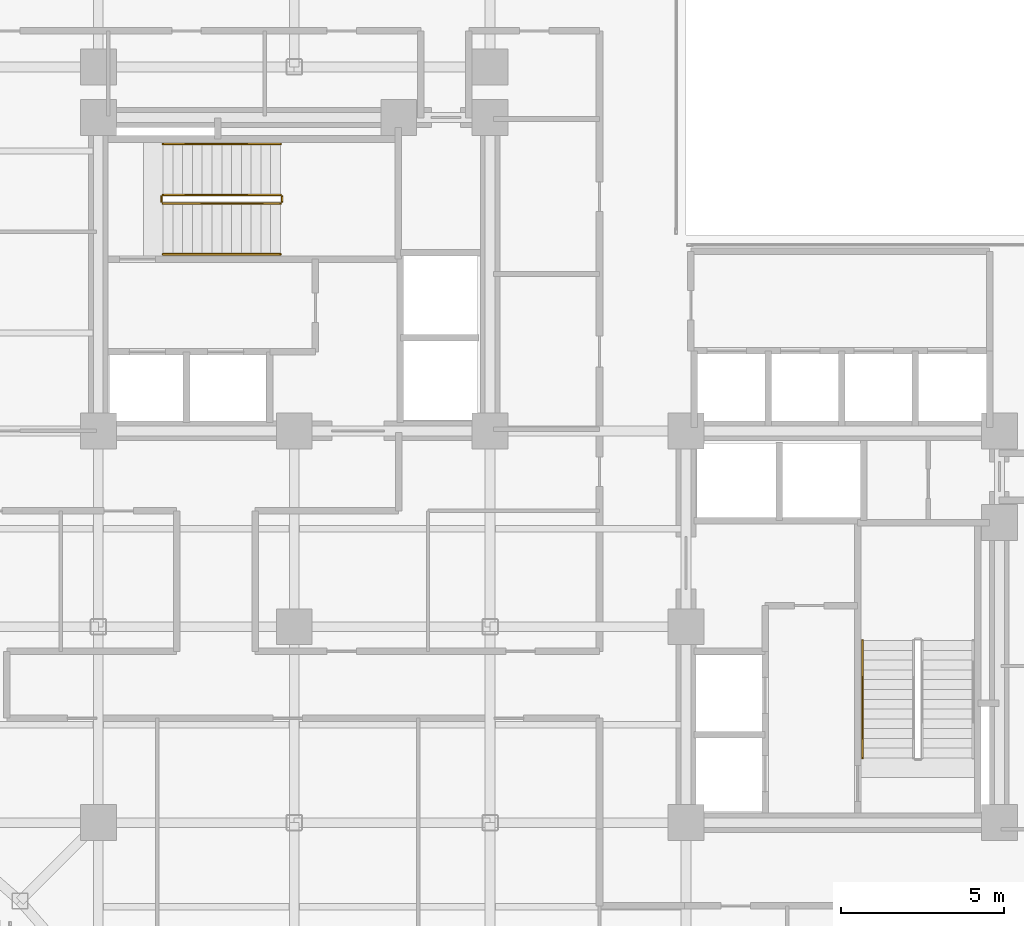
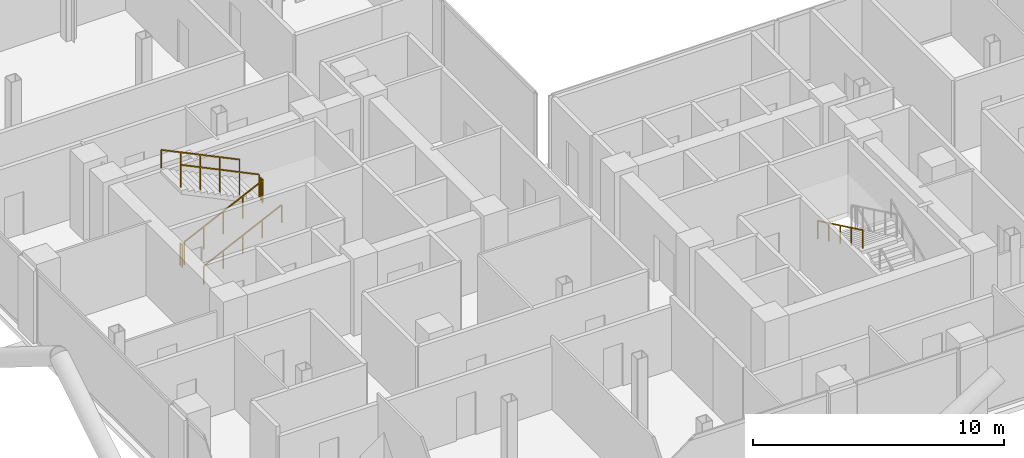
# One storey, part 26 of 28: 7 railings.
"""IFC4 building model written with IfcOpenShell, lengths in metres."""

from ifc_helpers import new_model, si_unit, direction, frame, origin, origin_2d, place, context, subcontext, project, spatial, rectangle, extrude, material, type_object, element, save


model = new_model("IFC4")

# Units and contexts
model_context = context("Model", 3, precision=1e-05, world=origin(), true_north=direction((0.0, 1.0)))
body_context = subcontext(model_context, "Body", "Model", "MODEL_VIEW")
ifc_project = project(units=[si_unit("LENGTHUNIT", "METRE"), si_unit("AREAUNIT", "SQUARE_METRE"), si_unit("VOLUMEUNIT", "CUBIC_METRE"), si_unit("PLANEANGLEUNIT", "RADIAN"), si_unit("MASSUNIT", "GRAM", prefix="KILO"), si_unit("THERMODYNAMICTEMPERATUREUNIT", "KELVIN"), si_unit("POWERUNIT", "WATT")], contexts=[model_context])

# Site, building, storey
site_placement = place(None, origin())
site = spatial("IfcSite", under=ifc_project, at=site_placement, CompositionType="ELEMENT")
building_placement = place(site_placement, origin())
building = spatial("IfcBuilding", under=site, at=building_placement, Name="Svarakhadi Broadcast Tower", CompositionType="ELEMENT")
storey_placement = place(building_placement, frame((0.0, 0.0, 138.14990234375)))
storey = spatial("IfcBuildingStorey", under=building, at=storey_placement, Name="L33", CompositionType="ELEMENT", Elevation=138.14990234375)

# Railings
ifc_material = material(Name="Anodised Bronze Aluminium AA 6063-T6", Category="aluminium")
railing_type_1 = type_object("IfcRailingType", Name="Guard_Stair_GR01", PredefinedType="GUARDRAIL", material=ifc_material)
railing_1_placement = place(storey_placement, frame((7.97998046875, 24.969970703125, 0.144287109375)))
element("IfcRailing", 1, at=railing_1_placement, inside=storey, type_object=railing_type_1, Name="L33 ST-01 stair guard 1", PredefinedType="GUARDRAIL", context=body_context, shape_type="SweptSolid", body=[
    extrude(rectangle(XDim=0.048095703125, YDim=0.048095703125, at=origin_2d()), frame((0.0, 0.0, 1.09619140625), z_axis=(0.901262522062, 0.0, 0.433273431364), x_axis=(0.0, 1.0, 0.0)), (0.0, 0.0, 1.0), 3.994384765625),
    extrude(rectangle(XDim=0.0419921875, YDim=0.0419921875, at=origin_2d()), origin(), (0.0, 0.0, 1.0), 1.072021484375),
    extrude(rectangle(XDim=0.0419921875, YDim=0.0419921875, at=origin_2d()), frame((0.89990234375, 0.0, 0.4326171875)), (0.0, 0.0, 1.0), 1.072021484375),
    extrude(rectangle(XDim=0.0419921875, YDim=0.0419921875, at=origin_2d()), frame((1.800048828125, 0.0, 0.865234375)), (0.0, 0.0, 1.0), 1.072021484375),
    extrude(rectangle(XDim=0.0419921875, YDim=0.0419921875, at=origin_2d()), frame((2.7001953125, 0.0, 1.298095703125)), (0.0, 0.0, 1.0), 1.072021484375),
    extrude(rectangle(XDim=0.0419921875, YDim=0.0419921875, at=origin_2d()), frame((3.60009765625, 0.0, 1.730712890625)), (0.0, 0.0, 1.0), 1.072021484375),
])
railing_2_placement = place(storey_placement, frame((11.6298828125, 25.02001953125, 1.875)))
element("IfcRailing", 2, at=railing_2_placement, inside=storey, type_object=railing_type_1, Name="L33 ST-01 stair guard 2", PredefinedType="GUARDRAIL", context=body_context, shape_type="SweptSolid", body=[
    extrude(rectangle(XDim=0.048095703125, YDim=0.048095703125, at=origin_2d()), frame((0.0, 0.0, 1.09619140625), z_axis=(0.0, 1.0, 0.0), x_axis=(-1.0, 0.0, 0.0)), (0.0, 0.0, 1.0), 0.159912109375),
    extrude(rectangle(XDim=0.0419921875, YDim=0.0419921875, at=origin_2d()), origin(), (0.0, 0.0, 1.0), 1.072021484375),
    extrude(rectangle(XDim=0.0419921875, YDim=0.0419921875, at=origin_2d()), frame((0.0, 0.159912109375, 0.0)), (0.0, 0.0, 1.0), 1.072021484375),
])
railing_3_placement = place(storey_placement, frame((11.580078125, 25.22998046875, 2.019287109375)))
element("IfcRailing", 3, at=railing_3_placement, inside=storey, type_object=railing_type_1, Name="L33 ST-01 stair guard 3", PredefinedType="GUARDRAIL", context=body_context, shape_type="SweptSolid", body=[
    extrude(rectangle(XDim=0.048095703125, YDim=0.048095703125, at=origin_2d()), frame((0.0, 0.0, 1.09619140625), z_axis=(-0.901262522062, 0.0, 0.433273431364), x_axis=(0.0, -1.0, 0.0)), (0.0, 0.0, 1.0), 3.994384765625),
    extrude(rectangle(XDim=0.0419921875, YDim=0.0419921875, at=origin_2d()), origin(), (0.0, 0.0, 1.0), 1.072021484375),
    extrude(rectangle(XDim=0.0419921875, YDim=0.0419921875, at=origin_2d()), frame((-0.89990234375, 0.0, 0.4326171875)), (0.0, 0.0, 1.0), 1.072021484375),
    extrude(rectangle(XDim=0.0419921875, YDim=0.0419921875, at=origin_2d()), frame((-1.800048828125, 0.0, 0.865234375)), (0.0, 0.0, 1.0), 1.072021484375),
    extrude(rectangle(XDim=0.0419921875, YDim=0.0419921875, at=origin_2d()), frame((-2.7001953125, 0.0, 1.298095703125)), (0.0, 0.0, 1.0), 1.072021484375),
    extrude(rectangle(XDim=0.0419921875, YDim=0.0419921875, at=origin_2d()), frame((-3.60009765625, 0.0, 1.730712890625)), (0.0, 0.0, 1.0), 1.072021484375),
])
railing_4_placement = place(storey_placement, frame((7.929931640625, 25.02001953125, 0.0)))
element("IfcRailing", 4, at=railing_4_placement, inside=storey, type_object=railing_type_1, Name="L33 ST-01 stair guard 4", PredefinedType="GUARDRAIL", context=body_context, shape_type="SweptSolid", body=[
    extrude(rectangle(XDim=0.048095703125, YDim=0.048095703125, at=origin_2d()), frame((0.0, 0.0, 1.09619140625), z_axis=(0.0, 1.0, 0.0), x_axis=(-1.0, 0.0, 0.0)), (0.0, 0.0, 1.0), 0.159912109375),
    extrude(rectangle(XDim=0.0419921875, YDim=0.0419921875, at=origin_2d()), origin(), (0.0, 0.0, 1.0), 1.072021484375),
    extrude(rectangle(XDim=0.0419921875, YDim=0.0419921875, at=origin_2d()), frame((0.0, 0.159912109375, 0.0)), (0.0, 0.0, 1.0), 1.072021484375),
])
railing_type_2 = type_object("IfcRailingType", Name="Handrail_Stair_HR01", PredefinedType="HANDRAIL", material=ifc_material)
railing_5_placement = place(storey_placement, frame((7.97998046875, 23.409912109375, 0.144287109375)))
element("IfcRailing", 5, at=railing_5_placement, inside=storey, type_object=railing_type_2, Name="L33 ST-01 stair handrail 1", PredefinedType="HANDRAIL", context=body_context, shape_type="SweptSolid", body=[
    extrude(rectangle(XDim=0.048095703125, YDim=0.048095703125, at=origin_2d()), frame((0.0, 0.0, 0.8759765625), z_axis=(0.901262522062, 0.0, 0.433273431364), x_axis=(0.0, 1.0, 0.0)), (0.0, 0.0, 1.0), 3.994384765625),
    extrude(rectangle(XDim=0.0419921875, YDim=0.0419921875, at=origin_2d()), origin(), (0.0, 0.0, 1.0), 0.851806640625),
    extrude(rectangle(XDim=0.0419921875, YDim=0.0419921875, at=origin_2d()), frame((0.89990234375, 0.0, 0.4326171875)), (0.0, 0.0, 1.0), 0.851806640625),
    extrude(rectangle(XDim=0.0419921875, YDim=0.0419921875, at=origin_2d()), frame((1.800048828125, 0.0, 0.865234375)), (0.0, 0.0, 1.0), 0.851806640625),
    extrude(rectangle(XDim=0.0419921875, YDim=0.0419921875, at=origin_2d()), frame((2.7001953125, 0.0, 1.298095703125)), (0.0, 0.0, 1.0), 0.851806640625),
    extrude(rectangle(XDim=0.0419921875, YDim=0.0419921875, at=origin_2d()), frame((3.60009765625, 0.0, 1.730712890625)), (0.0, 0.0, 1.0), 0.851806640625),
])
railing_6_placement = place(storey_placement, frame((11.580078125, 26.7900390625, 2.019287109375)))
element("IfcRailing", 6, at=railing_6_placement, inside=storey, type_object=railing_type_2, Name="L33 ST-01 stair handrail 2", PredefinedType="HANDRAIL", context=body_context, shape_type="SweptSolid", body=[
    extrude(rectangle(XDim=0.048095703125, YDim=0.048095703125, at=origin_2d()), frame((0.0, 0.0, 0.8759765625), z_axis=(-0.901262522062, 0.0, 0.433273431364), x_axis=(0.0, -1.0, 0.0)), (0.0, 0.0, 1.0), 3.994384765625),
    extrude(rectangle(XDim=0.0419921875, YDim=0.0419921875, at=origin_2d()), origin(), (0.0, 0.0, 1.0), 0.851806640625),
    extrude(rectangle(XDim=0.0419921875, YDim=0.0419921875, at=origin_2d()), frame((-0.89990234375, 0.0, 0.4326171875)), (0.0, 0.0, 1.0), 0.851806640625),
    extrude(rectangle(XDim=0.0419921875, YDim=0.0419921875, at=origin_2d()), frame((-1.800048828125, 0.0, 0.865234375)), (0.0, 0.0, 1.0), 0.851806640625),
    extrude(rectangle(XDim=0.0419921875, YDim=0.0419921875, at=origin_2d()), frame((-2.7001953125, 0.0, 1.298095703125)), (0.0, 0.0, 1.0), 0.851806640625),
    extrude(rectangle(XDim=0.0419921875, YDim=0.0419921875, at=origin_2d()), frame((-3.60009765625, 0.0, 1.730712890625)), (0.0, 0.0, 1.0), 0.851806640625),
])
railing_7_placement = place(storey_placement, frame((29.409912109375, 11.580078125, 2.019287109375)))
element("IfcRailing", 7, at=railing_7_placement, inside=storey, type_object=railing_type_2, Name="L33 ST-02 stair handrail 2", PredefinedType="HANDRAIL", context=body_context, shape_type="SweptSolid", body=[
    extrude(rectangle(XDim=0.048095703125, YDim=0.048095703125, at=origin_2d()), frame((0.0, 0.0, 0.8759765625), z_axis=(0.0, -0.901262522062, 0.433273431364), x_axis=(1.0, 0.0, 0.0)), (0.0, 0.0, 1.0), 3.994384765625),
    extrude(rectangle(XDim=0.0419921875, YDim=0.0419921875, at=origin_2d()), origin(), (0.0, 0.0, 1.0), 0.851806640625),
    extrude(rectangle(XDim=0.0419921875, YDim=0.0419921875, at=origin_2d()), frame((0.0, -0.89990234375, 0.4326171875)), (0.0, 0.0, 1.0), 0.851806640625),
    extrude(rectangle(XDim=0.0419921875, YDim=0.0419921875, at=origin_2d()), frame((0.0, -1.800048828125, 0.865234375)), (0.0, 0.0, 1.0), 0.851806640625),
    extrude(rectangle(XDim=0.0419921875, YDim=0.0419921875, at=origin_2d()), frame((0.0, -2.7001953125, 1.298095703125)), (0.0, 0.0, 1.0), 0.851806640625),
    extrude(rectangle(XDim=0.0419921875, YDim=0.0419921875, at=origin_2d()), frame((0.0, -3.60009765625, 1.730712890625)), (0.0, 0.0, 1.0), 0.851806640625),
])

save(model, "model.ifc")
